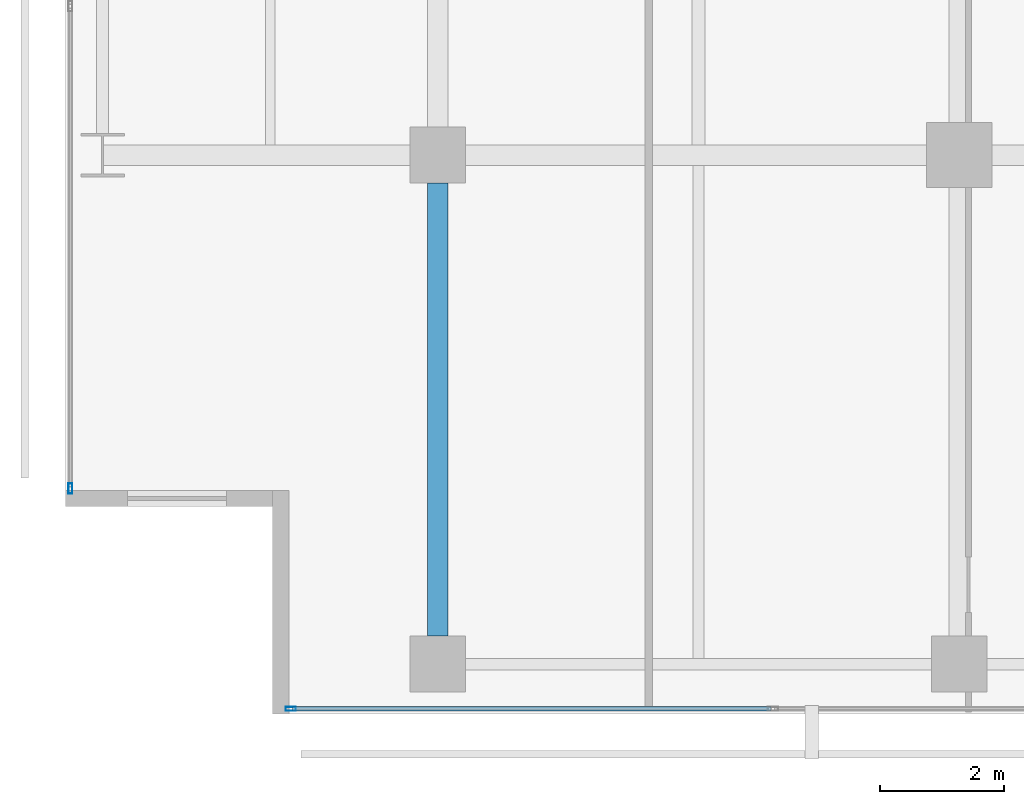
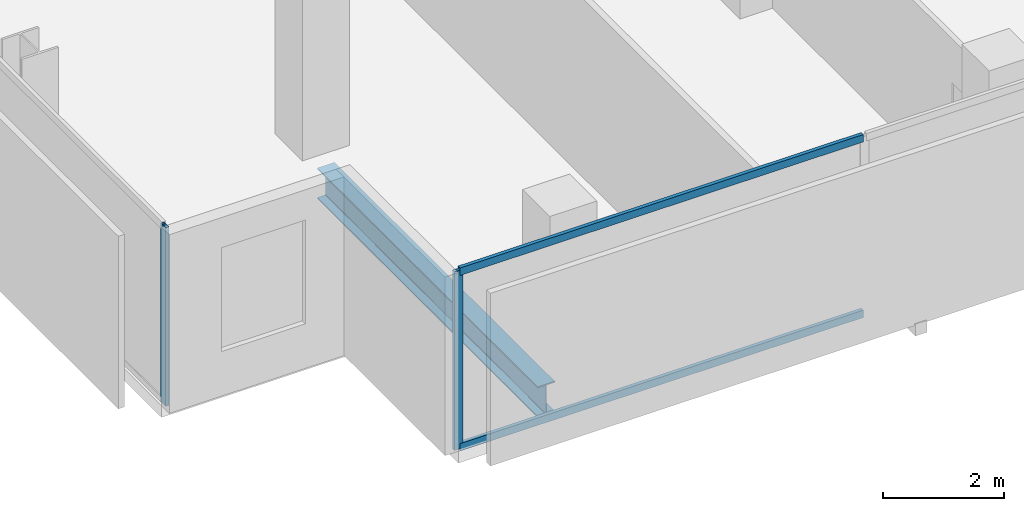
# One storey, part 2 of 39: 4 members, 1 beam, 2 elements without a shape of their own.
"""IFC4 building model written with IfcOpenShell, lengths in metres."""

import ifcopenshell
import ifcopenshell.guid

model = None  # the IFC model being written
_history = None  # IfcOwnerHistory: only IFC2X3 demands one
_inside = {}  # id of a spatial element -> (the spatial element, [elements in it])
_under = {}  # id of a project, library or spatial element -> (it, [spatial elements below it])
_declared = {}  # id of a project -> (the project, [libraries it declares])
_typed = {}  # id of a type object -> (the type object, [elements of that type])
_made_of = {}  # id of a material, layer set ... -> (it, [elements and type objects made of it])


def new_model(schema):
    """Start an empty IFC model of exactly this schema.

    Asked for "IFC4X3", IfcOpenShell would pick the latest addendum, in which some entities
    have other attributes; the version numbers below select the first issue.
    IFC2X3 requires an IfcOwnerHistory on every rooted entity: one is made here for all.
    """
    global model, _history
    if schema == "IFC4X3":
        model = ifcopenshell.file(schema_version=(4, 3, 0, 0))
    else:
        model = ifcopenshell.file(schema=schema)
    _inside.clear()
    _under.clear()
    _declared.clear()
    _typed.clear()
    _made_of.clear()
    _history = None
    if model.schema == "IFC2X3":
        org = make("IfcOrganization", Name="unknown")
        user = make(
            "IfcPersonAndOrganization",
            ThePerson=make("IfcPerson", FamilyName="unknown"),
            TheOrganization=org,
        )
        app = make(
            "IfcApplication",
            ApplicationDeveloper=org,
            Version="unknown",
            ApplicationFullName="unknown",
            ApplicationIdentifier="unknown",
        )
        _history = make(
            "IfcOwnerHistory",
            OwningUser=user,
            OwningApplication=app,
            ChangeAction="ADDED",
            CreationDate=0,
        )
    return model


def make(cls, **values):
    """One entity of the class cls with the attributes given. An attribute that is None is left unset."""
    return model.create_entity(
        cls, **{name: value for name, value in values.items() if value is not None}
    )


def rooted(cls, **values):
    """An entity with a GlobalId (a new one), such as an element, a storey or a relation."""
    return make(cls, GlobalId=ifcopenshell.guid.new(), OwnerHistory=_history, **values)


def si_unit(unit_type, name, prefix=None):
    """IfcSIUnit, for example si_unit("LENGTHUNIT", "METRE", prefix="MILLI")."""
    return make("IfcSIUnit", UnitType=unit_type, Prefix=prefix, Name=name)


def assignment(units):
    """IfcUnitAssignment: the units of a project."""
    return None if units is None else make("IfcUnitAssignment", Units=units)


def point(xyz):
    """IfcCartesianPoint."""
    return None if xyz is None else make("IfcCartesianPoint", Coordinates=xyz)


def direction(xyz):
    """IfcDirection."""
    return None if xyz is None else make("IfcDirection", DirectionRatios=xyz)


def frame(location, z_axis=None, x_axis=None):
    """IfcAxis2Placement3D, a coordinate frame: its origin and axes. An axis left out is left unset."""
    return make(
        "IfcAxis2Placement3D",
        Location=point(location),
        Axis=direction(z_axis),
        RefDirection=direction(x_axis),
    )


def frame_2d(location, x_axis=None):
    """IfcAxis2Placement2D, a coordinate frame in the plane: its origin and x axis."""
    return make(
        "IfcAxis2Placement2D", Location=point(location), RefDirection=direction(x_axis)
    )


def origin():
    """The frame at (0, 0, 0) with its axes left unset."""
    return frame((0.0, 0.0, 0.0))


def origin_2d():
    """The frame at (0, 0) in the plane with its x axis left unset."""
    return frame_2d((0.0, 0.0))


def place(relative_to, where):
    """IfcLocalPlacement: puts the frame where relative to a parent placement (None: the world)."""
    return make(
        "IfcLocalPlacement", PlacementRelTo=relative_to, RelativePlacement=where
    )


def context(
    kind, dimensions, precision=None, world=None, true_north=None, identifier=None
):
    """IfcGeometricRepresentationContext, for example the 3D "Model" context."""
    return make(
        "IfcGeometricRepresentationContext",
        ContextIdentifier=identifier,
        ContextType=kind,
        CoordinateSpaceDimension=dimensions,
        Precision=precision,
        WorldCoordinateSystem=world,
        TrueNorth=true_north,
    )


def subcontext(parent, identifier, kind, view, scale=None):
    """IfcGeometricRepresentationSubContext, for example "Body" below "Model"."""
    return make(
        "IfcGeometricRepresentationSubContext",
        ContextIdentifier=identifier,
        ContextType=kind,
        ParentContext=parent,
        TargetScale=scale,
        TargetView=view,
    )


def project(units=None, contexts=None):
    """IfcProject with its units and contexts."""
    return rooted(
        "IfcProject",
        Name="project",
        RepresentationContexts=contexts,
        UnitsInContext=assignment(units),
    )


def spatial(cls, under=None, at=None, **own):
    """A site, building, storey or space (cls), placed at a placement, below another one or the project."""
    s = rooted(cls, ObjectPlacement=at, **own)
    if under is not None:
        _under.setdefault(under.id(), (under, []))[1].append(s)
    return s


def profile(cls, at=None, kind="AREA", **sizes):
    """A parametric profile (cls). Its sizes go by their IFC names, for example OverallWidth=200.0."""
    return make(cls, ProfileType=kind, Position=at, **sizes)


def hollow_rectangle(**sizes):
    """IfcRectangleHollowProfileDef."""
    return profile("IfcRectangleHollowProfileDef", **sizes)


def i_section(**sizes):
    """IfcIShapeProfileDef."""
    return profile("IfcIShapeProfileDef", **sizes)


def extrude(swept, where, along, depth):
    """IfcExtrudedAreaSolid: the profile swept, set in the frame where, extruded along a direction by depth."""
    return make(
        "IfcExtrudedAreaSolid",
        SweptArea=swept,
        Position=where,
        ExtrudedDirection=direction(along),
        Depth=depth,
    )


def shape(context_of_items, identifier, shape_type, items):
    """IfcShapeRepresentation: the items that make up one representation, for example the "Body"."""
    return make(
        "IfcShapeRepresentation",
        ContextOfItems=context_of_items,
        RepresentationIdentifier=identifier,
        RepresentationType=shape_type,
        Items=items,
    )


def material(Name=None, Category=None):
    """IfcMaterial."""
    return make("IfcMaterial", Name=Name, Category=Category)


def layer(
    of_material, thickness, ventilated=None, Name=None, Category=None, Priority=None
):
    """IfcMaterialLayer: one layer of a wall or slab, of a material (None: an air gap)."""
    return make(
        "IfcMaterialLayer",
        Material=of_material,
        LayerThickness=thickness,
        IsVentilated=ventilated,
        Name=Name,
        Category=Category,
        Priority=Priority,
    )


def layer_set(layers, Name=None):
    """IfcMaterialLayerSet."""
    return make("IfcMaterialLayerSet", MaterialLayers=layers, LayerSetName=Name)


def material_profile(
    of_material, cross_section, Name=None, Category=None, Priority=None
):
    """IfcMaterialProfile: a cross section and its material."""
    return make(
        "IfcMaterialProfile",
        Name=Name,
        Material=of_material,
        Profile=cross_section,
        Priority=Priority,
        Category=Category,
    )


def profile_set(profiles, Name=None, composite=None):
    """IfcMaterialProfileSet."""
    return make(
        "IfcMaterialProfileSet",
        Name=Name,
        MaterialProfiles=profiles,
        CompositeProfile=composite,
    )


def made_of(thing, what):
    """Note that an element or type object is made of a material, layer set ...; save() writes the relation."""
    if what is not None:
        _made_of.setdefault(what.id(), (what, []))[1].append(thing)
    return thing


def type_object(cls, material=None, **own):
    """A type object (cls), such as IfcWallType, which elements share."""
    return made_of(rooted(cls, **own), material)


def element(
    cls,
    number,
    at=None,
    inside=None,
    cuts=None,
    type_object=None,
    material=None,
    context=None,
    identifier="Body",
    shape_type=None,
    held_by="IfcProductDefinitionShape",
    body=None,
    shapes=None,
    **own,
):
    """One element of the class cls, such as IfcWall. Its Tag is "e" and its number.

    at: its placement. inside: the storey or other place that contains it. cuts: it is an
    opening in that element (IfcRelVoidsElement). A single representation is given by context,
    identifier, shape_type and body (its items); several are given by shapes. held_by: the class
    of the entity that holds the representations. save() writes the other relations.
    """
    e = rooted(cls, Tag="e%d" % number, ObjectPlacement=at, **own)
    if body is not None:
        shapes = [shape(context, identifier, shape_type, body)]
    if shapes is not None:
        e.Representation = make(held_by, Representations=shapes)
    if inside is not None:
        _inside.setdefault(inside.id(), (inside, []))[1].append(e)
    if cuts is not None:
        rooted(
            "IfcRelVoidsElement", RelatingBuildingElement=cuts, RelatedOpeningElement=e
        )
    if type_object is not None:
        _typed.setdefault(type_object.id(), (type_object, []))[1].append(e)
    return made_of(e, material)


def aggregate(whole, parts):
    """IfcRelAggregates: a whole, such as a stair, and the parts it consists of."""
    return rooted("IfcRelAggregates", RelatingObject=whole, RelatedObjects=parts)


def save(model, path):
    """Write the relations noted so far, then the file.

    IfcRelAggregates (storeys below a building ...), IfcRelContainedInSpatialStructure (elements
    in a storey), IfcRelDefinesByType, IfcRelAssociatesMaterial and IfcRelDeclares: one each for
    every whole, place, type object, material and project.
    """
    for whole, parts in _under.values():
        aggregate(whole, parts)
    for where, things in _inside.values():
        rooted(
            "IfcRelContainedInSpatialStructure",
            RelatedElements=things,
            RelatingStructure=where,
        )
    for kind, things in _typed.values():
        rooted("IfcRelDefinesByType", RelatedObjects=things, RelatingType=kind)
    for what, things in _made_of.values():
        rooted("IfcRelAssociatesMaterial", RelatedObjects=things, RelatingMaterial=what)
    for by, libraries in _declared.values():
        rooted("IfcRelDeclares", RelatingContext=by, RelatedDefinitions=libraries)
    model.write(path)


model = new_model("IFC4")

# Units and contexts
model_context = context("Model", 3, precision=1e-05, world=origin(), true_north=direction((0.0, 1.0)))
body_context = subcontext(model_context, "Body", "Model", "MODEL_VIEW")
ifc_project = project(units=[si_unit("LENGTHUNIT", "METRE"), si_unit("AREAUNIT", "SQUARE_METRE"), si_unit("VOLUMEUNIT", "CUBIC_METRE"), si_unit("PLANEANGLEUNIT", "RADIAN"), si_unit("MASSUNIT", "GRAM", prefix="KILO")], contexts=[model_context])

# Site, building, storey
site_placement = place(None, origin())
site = spatial("IfcSite", under=ifc_project, at=site_placement, CompositionType="ELEMENT")
building_placement = place(site_placement, origin())
building = spatial("IfcBuilding", under=site, at=building_placement, Name="Maruvema Waterfront Hotel and Observation Tower", CompositionType="ELEMENT")
storey_placement = place(building_placement, frame((0.0, 0.0, 65.449951171875)))
storey = spatial("IfcBuildingStorey", under=building, at=storey_placement, Name="L15", CompositionType="ELEMENT", Elevation=65.449951171875)

# Curtain wall, members
ifc_material_1 = material(Name="Anodised bronze aluminium and solar-control low-E IGU", Category="aluminium")
ifc_layer = layer(ifc_material_1, 0.159912109375, Name="Zone 1 Bronze Inner Thermal Curtain Wall System CW-02")
ifc_layer_set = layer_set([ifc_layer], Name="Anodised bronze aluminium and solar-control low-E IGU")
curtain_wall_type = type_object("IfcCurtainWallType", Name="Zone 1 Bronze Inner Thermal Curtain Wall System CW-02", PredefinedType="USERDEFINED", material=ifc_layer_set)
curtain_wall_1_placement = place(storey_placement, origin())
curtain_wall_1 = element("IfcCurtainWall", 1, at=curtain_wall_1_placement, inside=storey, type_object=curtain_wall_type, Name="L15 Curtain Wall CW-L15-S", ObjectType="UNITISED CURTAIN WALL", PredefinedType="USERDEFINED")
ifc_material_2 = material(Name="Anodised architectural bronze aluminium", Category="aluminium")
ifc_material_profile_1 = material_profile(ifc_material_2, hollow_rectangle(XDim=0.070068359375, YDim=0.14990234375, WallThickness=0.00390625, at=origin_2d()), Name="ALU-T70x150")
ifc_profile_set_1 = profile_set([ifc_material_profile_1], Name="Anodised architectural bronze aluminium")
member_type_1 = type_object("IfcMemberType", Name="Curtain Wall Horizontal Transom ALU-T70x150", PredefinedType="USERDEFINED", material=ifc_profile_set_1)
member_1_placement = place(storey_placement, frame((14.4599609375, 0.080078125, 0.030029296875), z_axis=(1.0, 0.0, 0.0), x_axis=(0.0, 1.0, 0.0)))
member_1 = element("IfcMember", 2, at=member_1_placement, type_object=member_type_1, Name="CW-02 transom 1.1", ObjectType="TRANSOM", PredefinedType="USERDEFINED", context=body_context, shape_type="SweptSolid", body=[
    extrude(hollow_rectangle(XDim=0.070068359375, YDim=0.14990234375, WallThickness=0.00390625, at=origin_2d()), origin(), (0.0, 0.0, 1.0), 7.7099609375),
])
member_2_placement = place(storey_placement, frame((14.4599609375, 0.080078125, 3.580078125), z_axis=(1.0, 0.0, 0.0), x_axis=(0.0, 1.0, 0.0)))
member_2 = element("IfcMember", 3, at=member_2_placement, type_object=member_type_1, Name="CW-02 transom 1.2", ObjectType="TRANSOM", PredefinedType="USERDEFINED", context=body_context, shape_type="SweptSolid", body=[
    extrude(hollow_rectangle(XDim=0.070068359375, YDim=0.14990234375, WallThickness=0.00390625, at=origin_2d()), origin(), (0.0, 0.0, 1.0), 7.7099609375),
])
ifc_material_3 = material(Name="Anodised architectural bronze aluminium", Category="aluminium")
ifc_material_profile_2 = material_profile(ifc_material_3, hollow_rectangle(XDim=0.06494140625, YDim=0.1650390625, WallThickness=0.00390625, at=origin_2d()), Name="ALU-M65x165")
ifc_profile_set_2 = profile_set([ifc_material_profile_2], Name="Anodised architectural bronze aluminium")
member_type_2 = type_object("IfcMemberType", Name="Curtain Wall Primary Mullion ALU-M65x165", PredefinedType="MULLION", material=ifc_profile_set_2)
member_3_placement = place(storey_placement, frame((14.429931640625, 0.080078125, 0.0), z_axis=(0.0, 0.0, 1.0), x_axis=(0.0, 1.0, 0.0)))
member_3 = element("IfcMember", 4, at=member_3_placement, type_object=member_type_2, Name="CW-02 mullion 1", PredefinedType="MULLION", context=body_context, shape_type="SweptSolid", body=[
    extrude(hollow_rectangle(XDim=0.06494140625, YDim=0.1650390625, WallThickness=0.00390625, at=origin_2d()), origin(), (0.0, 0.0, 1.0), 3.610107421875),
])
aggregate(curtain_wall_1, [member_3, member_1, member_2])

# Curtain wall, member
curtain_wall_2_placement = place(storey_placement, origin())
curtain_wall_2 = element("IfcCurtainWall", 5, at=curtain_wall_2_placement, inside=storey, type_object=curtain_wall_type, Name="L15 Curtain Wall CW-L15-W", ObjectType="UNITISED CURTAIN WALL", PredefinedType="USERDEFINED")
member_4_placement = place(storey_placement, frame((10.8798828125, 3.6298828125, 0.0), z_axis=(0.0, 0.0, 1.0), x_axis=(1.0, 0.0, 0.0)))
member_4 = element("IfcMember", 6, at=member_4_placement, type_object=member_type_2, Name="CW-02 mullion 7", PredefinedType="MULLION", context=body_context, shape_type="SweptSolid", body=[
    extrude(hollow_rectangle(XDim=0.06494140625, YDim=0.1650390625, WallThickness=0.00390625, at=origin_2d()), origin(), (0.0, 0.0, 1.0), 3.610107421875),
])
aggregate(curtain_wall_2, [member_4])

# Beam
ifc_material_4 = material(Name="Steel ASTM A572 Grade 50", Category="steel")
ifc_material_profile_3 = material_profile(ifc_material_4, i_section(OverallWidth=0.326904296875, OverallDepth=0.6220703125, WebThickness=0.015380859375, FlangeThickness=0.0244140625, FilletRadius=0.01806640625, at=origin_2d()), Name="W610x195.0")
ifc_profile_set_3 = profile_set([ifc_material_profile_3], Name="Steel ASTM A572 Grade 50")
beam_type = type_object("IfcBeamType", Name="Primary Floor Girder W610x195.0", PredefinedType="BEAM", material=ifc_profile_set_3)
beam_placement = place(storey_placement, frame((16.800048828125, 1.25, -0.551025390625), z_axis=(0.0, 1.0, 0.0), x_axis=(-1.0, 0.0, 0.0)))
element("IfcBeam", 7, at=beam_placement, inside=storey, type_object=beam_type, Name="L15 Floor Girder NS-05", PredefinedType="BEAM", context=body_context, shape_type="SweptSolid", body=[
    extrude(i_section(OverallWidth=0.326904296875, OverallDepth=0.6220703125, WebThickness=0.015380859375, FlangeThickness=0.0244140625, FilletRadius=0.01806640625, at=origin_2d()), origin(), (0.0, 0.0, 1.0), 7.300048828125),
])

save(model, "model.ifc")
